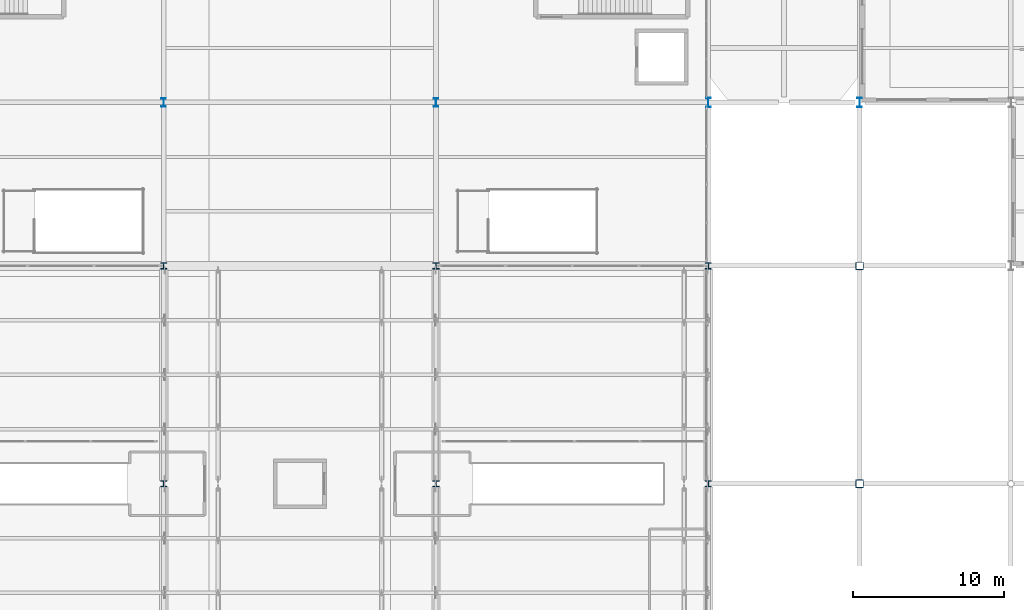
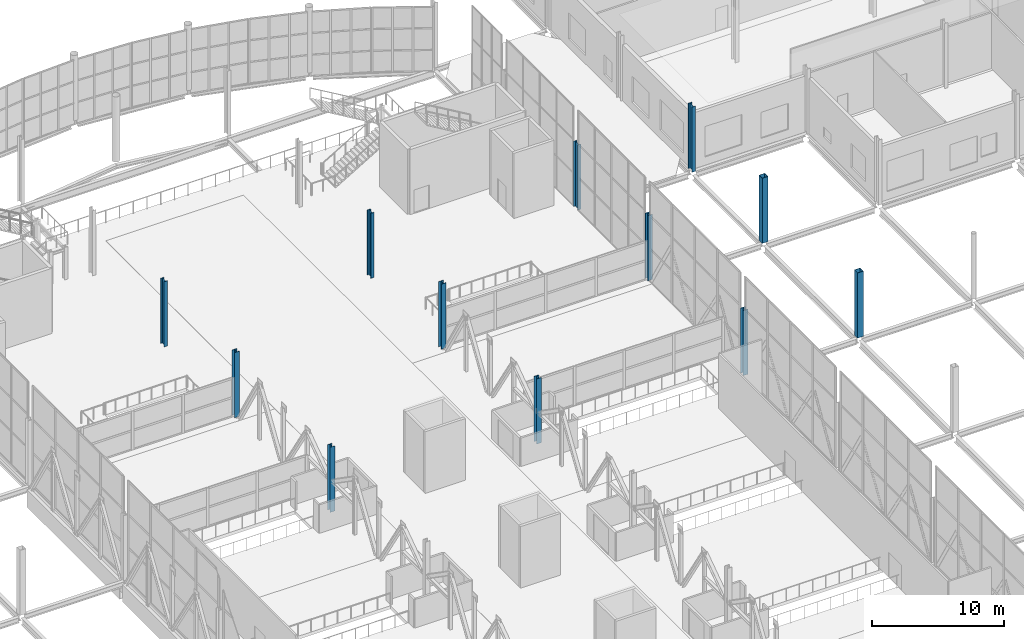
# One storey, part 11 of 191: 12 columns.
"""IFC4 building model written with IfcOpenShell, lengths in metres."""

from ifc_helpers import new_model, si_unit, direction, frame, origin, origin_2d, place, context, subcontext, project, spatial, hollow_rectangle, i_section, extrude, material, material_profile, profile_set, type_object, element, save


model = new_model("IFC4")

# Units and contexts
model_context = context("Model", 3, precision=1e-05, world=origin(), true_north=direction((0.0, 1.0)))
body_context = subcontext(model_context, "Body", "Model", "MODEL_VIEW")
ifc_project = project(units=[si_unit("LENGTHUNIT", "METRE"), si_unit("AREAUNIT", "SQUARE_METRE"), si_unit("VOLUMEUNIT", "CUBIC_METRE"), si_unit("PLANEANGLEUNIT", "RADIAN"), si_unit("MASSUNIT", "GRAM", prefix="KILO")], contexts=[model_context])

# Site, building, storey
site_placement = place(None, origin())
site = spatial("IfcSite", under=ifc_project, at=site_placement, CompositionType="ELEMENT")
building_placement = place(site_placement, origin())
building = spatial("IfcBuilding", under=site, at=building_placement, Name="Tamarisk Ironworks Central Station", CompositionType="ELEMENT")
storey_placement = place(building_placement, frame((0.0, 0.0, 6.60009765625)))
storey = spatial("IfcBuildingStorey", under=building, at=storey_placement, Name="L01", CompositionType="ELEMENT", Elevation=6.60009765625)

# Columns
ifc_material_1 = material(Name="Structural steel S355J2", Category="steel")
ifc_material_profile_1 = material_profile(ifc_material_1, i_section(OverallWidth=0.406005859375, OverallDepth=0.416015625, WebThickness=0.022705078125, FlangeThickness=0.034912109375, at=origin_2d()), Name="HD 400x382")
ifc_profile_set_1 = profile_set([ifc_material_profile_1], Name="Structural steel S355J2")
column_type_1 = type_object("IfcColumnType", Name="COL-S02", PredefinedType="COLUMN", material=ifc_profile_set_1)
for number, where, z_axis, x_axis, name in (
    (1, (72.0, 64.800048828125, 0.0), (0.0, 0.0, 1.0), (1.0, 0.0, 0.0), "L01 column V2-09F"),
    (2, (72.0, 79.199951171875, 0.0), (0.0, 0.0, 1.0), (1.0, 0.0, 0.0), "L01 column V2-09G"),
    (3, (90.0, 64.800048828125, 0.0), (0.0, 0.0, 1.0), (1.0, 0.0, 0.0), "L01 column V2-12F"),
    (4, (90.0, 79.199951171875, 0.0), (0.0, 0.0, 1.0), (1.0, 0.0, 0.0), "L01 column V2-12G"),
    (5, (108.0, 64.800048828125, 0.0), (0.0, 0.0, 1.0), (1.0, 0.0, 0.0), "L01 column V2-14F"),
    (6, (108.0, 79.199951171875, 0.0), (0.0, 0.0, 1.0), (1.0, 0.0, 0.0), "L01 column V2-14G"),
):
    element("IfcColumn", number, at=place(storey_placement, frame(where, z_axis=z_axis, x_axis=x_axis)), inside=storey, type_object=column_type_1, Name=name, PredefinedType="COLUMN", context=body_context, shape_type="SweptSolid", body=[
        extrude(i_section(OverallWidth=0.406005859375, OverallDepth=0.416015625, WebThickness=0.022705078125, FlangeThickness=0.034912109375, at=origin_2d()), origin(), (0.0, 0.0, 1.0), 6.0),
    ])
ifc_material_profile_2 = material_profile(ifc_material_1, i_section(OverallWidth=0.300048828125, OverallDepth=0.60009765625, WebThickness=0.015380859375, FlangeThickness=0.029052734375, at=origin_2d()), Name="HEB 600")
ifc_profile_set_2 = profile_set([ifc_material_profile_2], Name="Structural steel S355J2")
column_type_2 = type_object("IfcColumnType", Name="COL-S05", PredefinedType="COLUMN", material=ifc_profile_set_2)
for number, where, z_axis, x_axis, name in (
    (7, (108.0, 90.0, 0.0), (0.0, 0.0, 1.0), (1.0, 0.0, 0.0), "L01 column V2-14H"),
    (8, (118.0, 90.0, 0.0), (0.0, 0.0, 1.0), (1.0, 0.0, 0.0), "L01 column V5-15H"),
):
    element("IfcColumn", number, at=place(storey_placement, frame(where, z_axis=z_axis, x_axis=x_axis)), inside=storey, type_object=column_type_2, Name=name, PredefinedType="COLUMN", context=body_context, shape_type="SweptSolid", body=[
        extrude(i_section(OverallWidth=0.300048828125, OverallDepth=0.60009765625, WebThickness=0.015380859375, FlangeThickness=0.029052734375, at=origin_2d()), origin(), (0.0, 0.0, 1.0), 6.0),
    ])
ifc_material_profile_3 = material_profile(ifc_material_1, i_section(OverallWidth=0.300048828125, OverallDepth=0.550048828125, WebThickness=0.014892578125, FlangeThickness=0.029052734375, at=origin_2d()), Name="HEB 550")
ifc_profile_set_3 = profile_set([ifc_material_profile_3], Name="Structural steel S355J2")
column_type_3 = type_object("IfcColumnType", Name="COL-S06", PredefinedType="COLUMN", material=ifc_profile_set_3)
for number, where, z_axis, x_axis, name in (
    (9, (72.0, 90.0, 0.0), (0.0, 0.0, 1.0), (1.0, 0.0, 0.0), "L01 column V2-09H"),
    (10, (90.0, 90.0, 0.0), (0.0, 0.0, 1.0), (1.0, 0.0, 0.0), "L01 column V2-12H"),
):
    element("IfcColumn", number, at=place(storey_placement, frame(where, z_axis=z_axis, x_axis=x_axis)), inside=storey, type_object=column_type_3, Name=name, PredefinedType="COLUMN", context=body_context, shape_type="SweptSolid", body=[
        extrude(i_section(OverallWidth=0.300048828125, OverallDepth=0.550048828125, WebThickness=0.014892578125, FlangeThickness=0.029052734375, at=origin_2d()), origin(), (0.0, 0.0, 1.0), 6.0),
    ])
ifc_material_2 = material(Name="Structural steel S355J2H", Category="steel")
ifc_material_profile_4 = material_profile(ifc_material_2, hollow_rectangle(XDim=0.5, YDim=0.5, WallThickness=0.02001953125, at=origin_2d()), Name="SHS 500x500x20")
ifc_profile_set_4 = profile_set([ifc_material_profile_4], Name="Structural steel S355J2H")
column_type_4 = type_object("IfcColumnType", Name="COL-S13", PredefinedType="COLUMN", material=ifc_profile_set_4)
for number, where, z_axis, x_axis, name in (
    (11, (118.0, 64.800048828125, 0.0), (0.0, 0.0, 1.0), (1.0, 0.0, 0.0), "L01 column V1-15F"),
    (12, (118.0, 79.199951171875, 0.0), (0.0, 0.0, 1.0), (1.0, 0.0, 0.0), "L01 column V1-15G"),
):
    element("IfcColumn", number, at=place(storey_placement, frame(where, z_axis=z_axis, x_axis=x_axis)), inside=storey, type_object=column_type_4, Name=name, PredefinedType="COLUMN", context=body_context, shape_type="SweptSolid", body=[
        extrude(hollow_rectangle(XDim=0.5, YDim=0.5, WallThickness=0.02001953125, at=origin_2d()), origin(), (0.0, 0.0, 1.0), 6.0),
    ])

save(model, "model.ifc")
